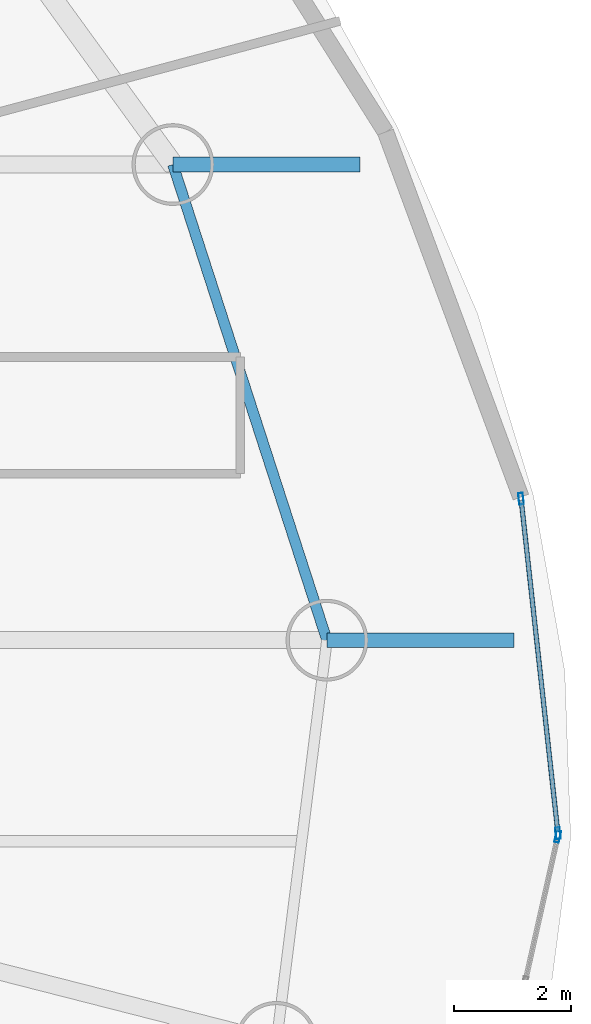
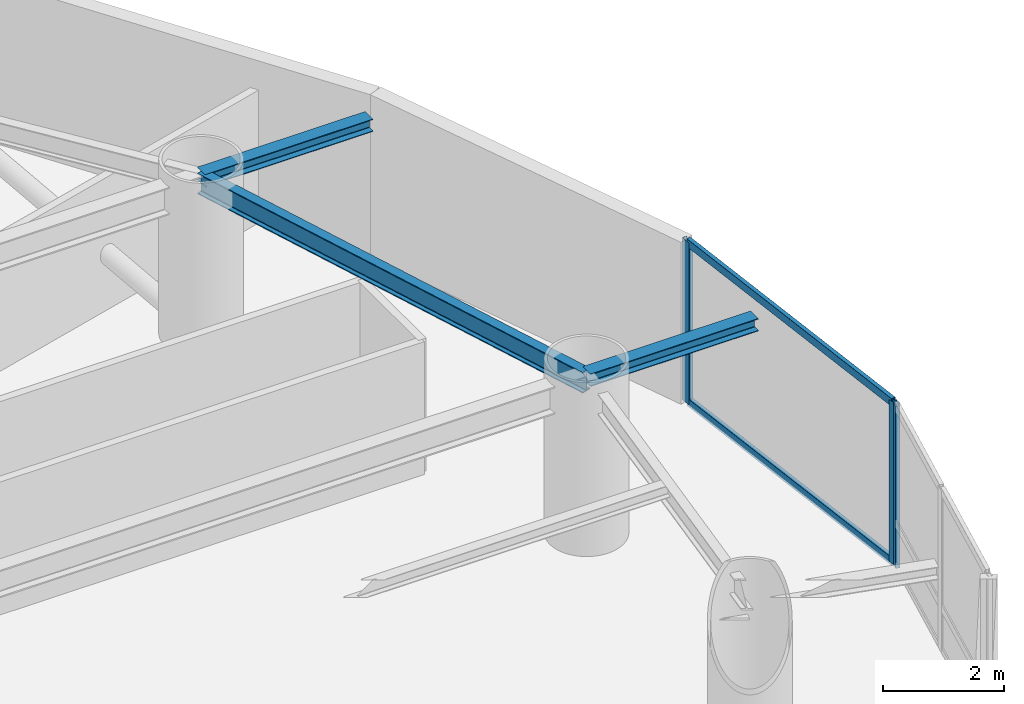
# One storey, part 10 of 22: 5 members, 3 beams, 2 elements without a shape of their own.
"""IFC4 building model written with IfcOpenShell, lengths in metres."""

from ifc_helpers import new_model, si_unit, direction, frame, origin, origin_2d, place, context, subcontext, project, spatial, hollow_rectangle, i_section, extrude, material, layer, layer_set, material_profile, profile_set, type_object, element, aggregate, save


model = new_model("IFC4")

# Units and contexts
model_context = context("Model", 3, precision=1e-05, world=origin(), true_north=direction((0.0, 1.0)))
body_context = subcontext(model_context, "Body", "Model", "MODEL_VIEW")
ifc_project = project(units=[si_unit("LENGTHUNIT", "METRE"), si_unit("AREAUNIT", "SQUARE_METRE"), si_unit("VOLUMEUNIT", "CUBIC_METRE"), si_unit("PLANEANGLEUNIT", "RADIAN"), si_unit("MASSUNIT", "GRAM", prefix="KILO")], contexts=[model_context])

# Site, building, storey
site_placement = place(None, origin())
site = spatial("IfcSite", under=ifc_project, at=site_placement, CompositionType="ELEMENT")
building_placement = place(site_placement, origin())
building = spatial("IfcBuilding", under=site, at=building_placement, Name="Bramvorn Convention Spire", CompositionType="ELEMENT")
storey_placement = place(building_placement, frame((0.0, 0.0, 127.300048828125)))
storey = spatial("IfcBuildingStorey", under=building, at=storey_placement, Name="L31", CompositionType="ELEMENT", Elevation=127.300048828125)

# Beams
ifc_material_1 = material(Name="Steel CSA G40.21 Grade 350 (350W)", Category="steel")
ifc_material_profile_1 = material_profile(ifc_material_1, i_section(OverallWidth=0.25390625, OverallDepth=0.2529296875, WebThickness=0.008544921875, FlangeThickness=0.01416015625, FilletRadius=0.011962890625, at=origin_2d()))
ifc_profile_set_1 = profile_set([ifc_material_profile_1], Name="Steel CSA G40.21 Grade 350 (350W) - W250X73")
beam_type_1 = type_object("IfcBeamType", Name="BM-W250X73", PredefinedType="BEAM", material=ifc_profile_set_1)
for number, where, z_axis, x_axis, name in (
    (1, (62.983642578125, 22.148193359375, 3.133544921875), (1.0, 0.0, 0.0), (0.0, 1.0, 0.0), "L31 slab-edge cantilever tip beam MC02"),
    (2, (60.345703125, 30.293212890625, 3.133544921875), (1.0, 0.0, 0.0), (0.0, 1.0, 0.0), "L31 slab-edge cantilever tip beam MC03"),
):
    element("IfcBeam", number, at=place(storey_placement, frame(where, z_axis=z_axis, x_axis=x_axis)), inside=storey, type_object=beam_type_1, Name=name, PredefinedType="BEAM", context=body_context, shape_type="SweptSolid", body=[
        extrude(i_section(OverallWidth=0.25390625, OverallDepth=0.2529296875, WebThickness=0.008544921875, FlangeThickness=0.01416015625, FilletRadius=0.011962890625, at=origin_2d()), origin(), (0.0, 0.0, 1.0), 3.199951171875),
    ])
ifc_material_profile_2 = material_profile(ifc_material_1, i_section(OverallWidth=0.180908203125, OverallDepth=0.4169921875, WebThickness=0.010986328125, FlangeThickness=0.018310546875, FilletRadius=0.01611328125, at=origin_2d()))
ifc_profile_set_2 = profile_set([ifc_material_profile_2], Name="Steel CSA G40.21 Grade 350 (350W) - W410X85")
beam_type_2 = type_object("IfcBeamType", Name="BM-W410X85", PredefinedType="JOIST", material=ifc_profile_set_2)
beam_placement = place(storey_placement, frame((62.983642578125, 22.148193359375, 3.051513671875), z_axis=(-0.308114853612, 0.951349166701, 0.0), x_axis=(-0.951349166701, -0.308114853612, 0.0)))
element("IfcBeam", 3, at=beam_placement, inside=storey, type_object=beam_type_2, Name="L31 mega-column ring beam 02", PredefinedType="JOIST", context=body_context, shape_type="SweptSolid", body=[
    extrude(i_section(OverallWidth=0.180908203125, OverallDepth=0.4169921875, WebThickness=0.010986328125, FlangeThickness=0.018310546875, FilletRadius=0.01611328125, at=origin_2d()), origin(), (0.0, 0.0, 1.0), 8.5615234375),
])

# Curtain wall, member
ifc_material_2 = material(Name="Anodised Bronze Unitised Curtain Wall", Category="aluminium")
ifc_layer = layer(ifc_material_2, 0.179931640625)
ifc_layer_set = layer_set([ifc_layer], Name="Anodised Bronze Unitised Curtain Wall - CW-HTL-FRIT")
curtain_wall_type = type_object("IfcCurtainWallType", Name="CW-HTL-FRIT", PredefinedType="USERDEFINED", material=ifc_layer_set)
curtain_wall_1_placement = place(storey_placement, origin())
curtain_wall_1 = element("IfcCurtainWall", 4, at=curtain_wall_1_placement, inside=storey, type_object=curtain_wall_type, Name="L31 fritted glass curtain wall 01", ObjectType="UNITISED CURTAIN WALL", PredefinedType="USERDEFINED")
ifc_material_3 = material(Name="Anodised Bronze Aluminium 6063-T6", Category="aluminium")
ifc_material_profile_3 = material_profile(ifc_material_3, hollow_rectangle(XDim=0.080078125, YDim=0.199951171875, WallThickness=0.00390625, InnerFilletRadius=0.0009765625, OuterFilletRadius=0.00390625, at=origin_2d()))
ifc_profile_set_3 = profile_set([ifc_material_profile_3], Name="Anodised Bronze Aluminium 6063-T6 - CWM80X200")
member_type_1 = type_object("IfcMemberType", Name="CW-MUL-180", PredefinedType="MULLION", material=ifc_profile_set_3)
member_1_placement = place(storey_placement, frame((66.935546875, 18.78369140625, 0.0), z_axis=(0.0, 0.0, 1.0), x_axis=(0.975645647742, -0.219352615765, 0.0)))
member_1 = element("IfcMember", 5, at=member_1_placement, type_object=member_type_1, Name="CW2 mullion 1", PredefinedType="MULLION", context=body_context, shape_type="SweptSolid", body=[
    extrude(hollow_rectangle(XDim=0.080078125, YDim=0.199951171875, WallThickness=0.00390625, InnerFilletRadius=0.0009765625, OuterFilletRadius=0.00390625, at=origin_2d()), origin(), (0.0, 0.0, 1.0), 3.260009765625),
])
aggregate(curtain_wall_1, [member_1])

# Curtain wall, members
curtain_wall_2_placement = place(storey_placement, origin())
curtain_wall_2 = element("IfcCurtainWall", 6, at=curtain_wall_2_placement, inside=storey, type_object=curtain_wall_type, Name="L31 fritted glass curtain wall 02", ObjectType="UNITISED CURTAIN WALL", PredefinedType="USERDEFINED")
member_2_placement = place(storey_placement, frame((66.307373046875, 24.57080078125, 0.0), z_axis=(0.0, 0.0, 1.0), x_axis=(0.993975127218, 0.109605868782, 0.0)))
member_2 = element("IfcMember", 7, at=member_2_placement, type_object=member_type_1, Name="CW2 mullion 1", PredefinedType="MULLION", context=body_context, shape_type="SweptSolid", body=[
    extrude(hollow_rectangle(XDim=0.080078125, YDim=0.199951171875, WallThickness=0.00390625, InnerFilletRadius=0.0009765625, OuterFilletRadius=0.00390625, at=origin_2d()), origin(), (0.0, 0.0, 1.0), 3.260009765625),
])
member_3_placement = place(storey_placement, frame((66.93896484375, 18.8427734375, 0.0), z_axis=(0.0, 0.0, 1.0), x_axis=(0.993975127218, 0.109605868782, 0.0)))
member_3 = element("IfcMember", 8, at=member_3_placement, type_object=member_type_1, Name="CW2 mullion 2", PredefinedType="MULLION", context=body_context, shape_type="SweptSolid", body=[
    extrude(hollow_rectangle(XDim=0.080078125, YDim=0.199951171875, WallThickness=0.00390625, InnerFilletRadius=0.0009765625, OuterFilletRadius=0.00390625, at=origin_2d()), origin(), (0.0, 0.0, 1.0), 3.260009765625),
])
ifc_material_profile_4 = material_profile(ifc_material_3, hollow_rectangle(XDim=0.080078125, YDim=0.159912109375, WallThickness=0.00390625, InnerFilletRadius=0.0009765625, OuterFilletRadius=0.00390625, at=origin_2d()))
ifc_profile_set_4 = profile_set([ifc_material_profile_4], Name="Anodised Bronze Aluminium 6063-T6 - CWT80X160")
member_type_2 = type_object("IfcMemberType", Name="CW-TRN-150", PredefinedType="USERDEFINED", material=ifc_profile_set_4)
member_4_placement = place(storey_placement, frame((66.310546875, 24.540771484375, 0.030029296875), z_axis=(0.109599777965, -0.993975798835, 0.0), x_axis=(0.993975798835, 0.109599777965, 0.0)))
member_4 = element("IfcMember", 9, at=member_4_placement, type_object=member_type_2, Name="CW2 transom 1.1", ObjectType="TRANSOM", PredefinedType="USERDEFINED", context=body_context, shape_type="SweptSolid", body=[
    extrude(hollow_rectangle(XDim=0.080078125, YDim=0.159912109375, WallThickness=0.00390625, InnerFilletRadius=0.0009765625, OuterFilletRadius=0.00390625, at=origin_2d()), origin(), (0.0, 0.0, 1.0), 5.70263671875),
])
member_5_placement = place(storey_placement, frame((66.310546875, 24.540771484375, 3.22998046875), z_axis=(0.109599777965, -0.993975798835, 0.0), x_axis=(0.993975798835, 0.109599777965, 0.0)))
member_5 = element("IfcMember", 10, at=member_5_placement, type_object=member_type_2, Name="CW2 transom 1.2", ObjectType="TRANSOM", PredefinedType="USERDEFINED", context=body_context, shape_type="SweptSolid", body=[
    extrude(hollow_rectangle(XDim=0.080078125, YDim=0.159912109375, WallThickness=0.00390625, InnerFilletRadius=0.0009765625, OuterFilletRadius=0.00390625, at=origin_2d()), origin(), (0.0, 0.0, 1.0), 5.70263671875),
])
aggregate(curtain_wall_2, [member_2, member_3, member_4, member_5])

save(model, "model.ifc")
